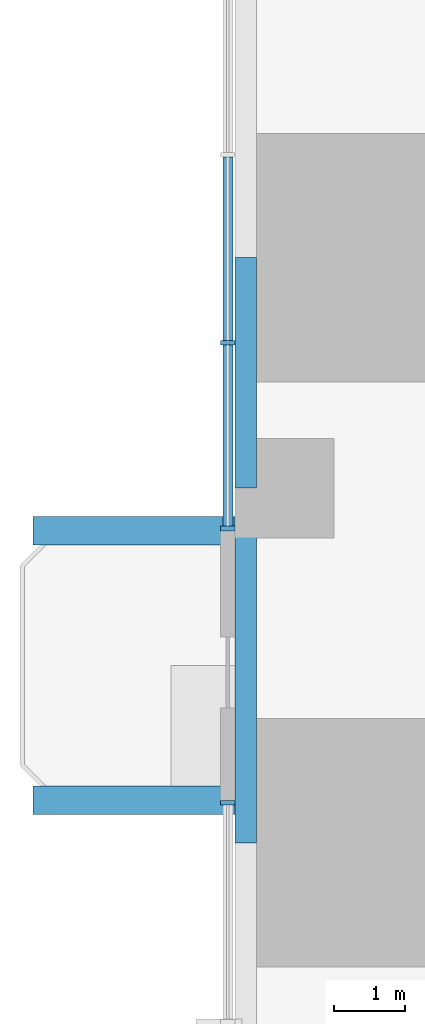
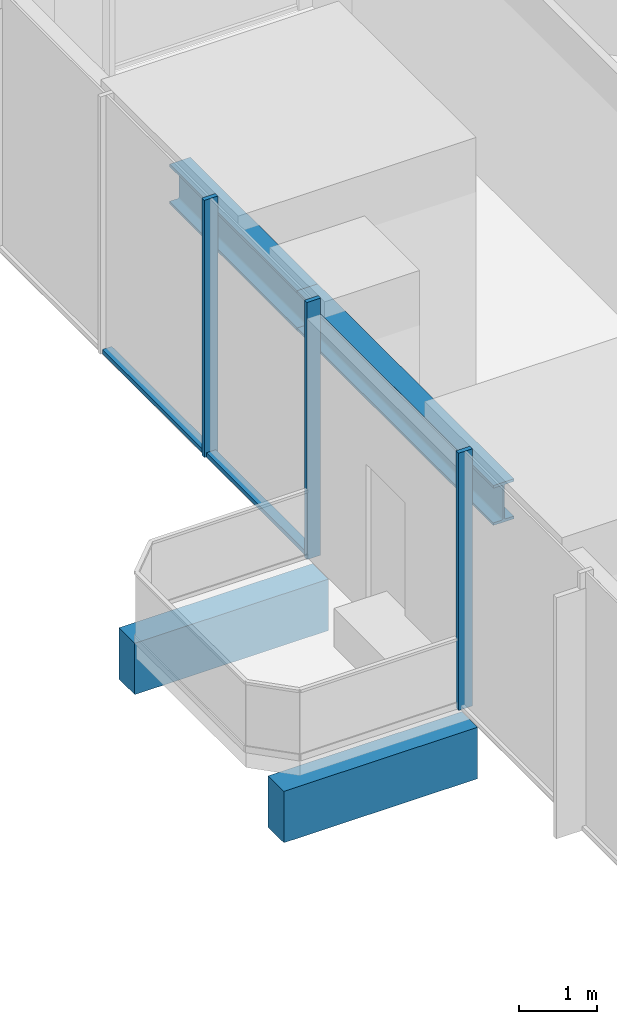
# One storey, part 3 of 15: 5 members, 4 beams, 2 elements without a shape of their own.
"""IFC4 building model written with IfcOpenShell, lengths in metres."""

from ifc_helpers import new_model, si_unit, direction, frame, origin, origin_2d, place, context, subcontext, project, spatial, rectangle, i_section, extrude, material, material_profile, profile_set, type_object, element, aggregate, save


model = new_model("IFC4")

# Units and contexts
model_context = context("Model", 3, precision=1e-05, world=origin(), true_north=direction((0.0, 1.0)))
body_context = subcontext(model_context, "Body", "Model", "MODEL_VIEW")
ifc_project = project(units=[si_unit("LENGTHUNIT", "METRE"), si_unit("AREAUNIT", "SQUARE_METRE"), si_unit("VOLUMEUNIT", "CUBIC_METRE"), si_unit("PLANEANGLEUNIT", "RADIAN"), si_unit("MASSUNIT", "GRAM", prefix="KILO")], contexts=[model_context])

# Site, building, storey
site_placement = place(None, origin())
site = spatial("IfcSite", under=ifc_project, at=site_placement, CompositionType="ELEMENT")
building_placement = place(site_placement, origin())
building = spatial("IfcBuilding", under=site, at=building_placement, Name="Svetlomir Tower", CompositionType="ELEMENT")
storey_placement = place(building_placement, frame((0.0, 0.0, 66.5)))
storey = spatial("IfcBuildingStorey", under=building, at=storey_placement, Name="L15", CompositionType="ELEMENT", Elevation=66.5)

# Beams
ifc_material_1 = material(Name="Concrete C60/75", Category="concrete")
ifc_material_profile_1 = material_profile(ifc_material_1, rectangle(XDim=0.39990234375, YDim=0.800048828125, at=origin_2d()), Name="RC 400x800")
ifc_profile_set_1 = profile_set([ifc_material_profile_1], Name="Concrete C60/75")
beam_type_1 = type_object("IfcBeamType", Name="BALCONY RIB RC 400x800", PredefinedType="BEAM", material=ifc_profile_set_1)
for number, where, z_axis, x_axis, name in (
    (1, (0.0, 21.60009765625, -0.64990234375), (-1.0, 0.0, 0.0), (0.0, -1.0, 0.0), "Balcony rib W 1 L15"),
    (2, (0.0, 25.39990234375, -0.64990234375), (-1.0, 0.0, 0.0), (0.0, -1.0, 0.0), "Balcony rib W 2 L15"),
):
    element("IfcBeam", number, at=place(storey_placement, frame(where, z_axis=z_axis, x_axis=x_axis)), inside=storey, type_object=beam_type_1, Name=name, PredefinedType="BEAM", context=body_context, shape_type="SweptSolid", body=[
        extrude(rectangle(XDim=0.39990234375, YDim=0.800048828125, at=origin_2d()), origin(), (0.0, 0.0, 1.0), 2.85009765625),
    ])

# Curtain wall, members
ifc_material_2 = material(Name="Bronze anodised aluminium curtain wall", Category="aluminium")
curtain_wall_type = type_object("IfcCurtainWallType", Name="CURTAIN WALL CW1 TOWER OFFICE", PredefinedType="NOTDEFINED", material=ifc_material_2)
curtain_wall_1_placement = place(storey_placement, origin())
curtain_wall_1 = element("IfcCurtainWall", 3, at=curtain_wall_1_placement, inside=storey, type_object=curtain_wall_type, Name="Curtain wall CW1 L15", PredefinedType="NOTDEFINED")
ifc_material_3 = material(Name="Bronze anodised aluminium", Category="aluminium")
ifc_material_profile_2 = material_profile(ifc_material_3, rectangle(XDim=0.06494140625, YDim=0.199951171875, at=origin_2d()), Name="AL 65x200")
ifc_profile_set_2 = profile_set([ifc_material_profile_2], Name="Bronze anodised aluminium 6063-T6")
member_type_1 = type_object("IfcMemberType", Name="CW1 MULLION 65x200", PredefinedType="MULLION", material=ifc_profile_set_2)
member_1_placement = place(storey_placement, frame((-0.10009765625, 28.050048828125, 0.0), z_axis=(0.0, 0.0, 1.0), x_axis=(0.0, -1.0, 0.0)))
member_1 = element("IfcMember", 4, at=member_1_placement, type_object=member_type_1, Name="CW1 mullion 4", PredefinedType="MULLION", context=body_context, shape_type="SweptSolid", body=[
    extrude(rectangle(XDim=0.06494140625, YDim=0.199951171875, at=origin_2d()), origin(), (0.0, 0.0, 1.0), 4.0),
])
member_2_placement = place(storey_placement, frame((-0.10009765625, 25.4326171875, 0.0), z_axis=(0.0, 0.0, 1.0), x_axis=(0.0, -1.0, 0.0)))
member_2 = element("IfcMember", 5, at=member_2_placement, type_object=member_type_1, Name="CW1 mullion 5", PredefinedType="MULLION", context=body_context, shape_type="SweptSolid", body=[
    extrude(rectangle(XDim=0.06494140625, YDim=0.199951171875, at=origin_2d()), origin(), (0.0, 0.0, 1.0), 4.0),
])

# Curtain wall, member
curtain_wall_2_placement = place(storey_placement, origin())
curtain_wall_2 = element("IfcCurtainWall", 6, at=curtain_wall_2_placement, inside=storey, type_object=curtain_wall_type, Name="Curtain wall CW1 L15", PredefinedType="NOTDEFINED")
member_3_placement = place(storey_placement, frame((-0.10009765625, 21.5673828125, 0.0), z_axis=(0.0, 0.0, 1.0), x_axis=(0.0, -1.0, 0.0)))
member_3 = element("IfcMember", 7, at=member_3_placement, type_object=member_type_1, Name="CW1 mullion 1", PredefinedType="MULLION", context=body_context, shape_type="SweptSolid", body=[
    extrude(rectangle(XDim=0.06494140625, YDim=0.199951171875, at=origin_2d()), origin(), (0.0, 0.0, 1.0), 4.0),
])
aggregate(curtain_wall_2, [member_3])

# Member
ifc_material_4 = material(Name="Bronze anodised aluminium", Category="aluminium")
ifc_material_profile_3 = material_profile(ifc_material_4, rectangle(XDim=0.139892578125, YDim=0.06494140625, at=origin_2d()), Name="AL 140x65")
ifc_profile_set_3 = profile_set([ifc_material_profile_3], Name="Bronze anodised aluminium 6063-T6")
member_type_2 = type_object("IfcMemberType", Name="CW1 TRANSOM 65x140", PredefinedType="USERDEFINED", material=ifc_profile_set_3)
member_4_placement = place(storey_placement, frame((-0.10009765625, 30.66748046875, 0.032470703125), z_axis=(0.0, -1.0, 0.0), x_axis=(1.0, 0.0, 0.0)))
member_4 = element("IfcMember", 8, at=member_4_placement, type_object=member_type_2, Name="CW1 transom 3.1", ObjectType="TRANSOM", PredefinedType="USERDEFINED", context=body_context, shape_type="SweptSolid", body=[
    extrude(rectangle(XDim=0.139892578125, YDim=0.06494140625, at=origin_2d()), origin(), (0.0, 0.0, 1.0), 2.5849609375),
])

member_5_placement = place(storey_placement, frame((-0.10009765625, 28.017578125, 0.032470703125), z_axis=(0.0, -1.0, 0.0), x_axis=(1.0, 0.0, 0.0)))
member_5 = element("IfcMember", 9, at=member_5_placement, type_object=member_type_2, Name="CW1 transom 4.1", ObjectType="TRANSOM", PredefinedType="USERDEFINED", context=body_context, shape_type="SweptSolid", body=[
    extrude(rectangle(XDim=0.139892578125, YDim=0.06494140625, at=origin_2d()), origin(), (0.0, 0.0, 1.0), 2.552490234375),
])

aggregate(curtain_wall_1, [member_1, member_2, member_4, member_5])

# Beams
ifc_material_5 = material(Name="Steel S355", Category="steel")
ifc_material_profile_4 = material_profile(ifc_material_5, i_section(OverallWidth=0.304931640625, OverallDepth=0.6201171875, WebThickness=0.02099609375, FlangeThickness=0.0400390625, FilletRadius=0.027099609375, at=origin_2d()), Name="HEM 600")
ifc_profile_set_4 = profile_set([ifc_material_profile_4], Name="Steel S355")
beam_type_2 = type_object("IfcBeamType", Name="EDGE BEAM HEM 600", PredefinedType="SPANDREL", material=ifc_profile_set_4)
beam_1_placement = place(storey_placement, frame((0.152587890625, 21.0, 3.43994140625), z_axis=(0.0, 1.0, 0.0), x_axis=(-1.0, 0.0, 0.0)))
element("IfcBeam", 10, at=beam_1_placement, inside=storey, type_object=beam_type_2, Name="Edge beam 0/21 to 0/26 under L16", PredefinedType="SPANDREL", context=body_context, shape_type="SweptSolid", body=[
    extrude(i_section(OverallWidth=0.304931640625, OverallDepth=0.6201171875, WebThickness=0.02099609375, FlangeThickness=0.0400390625, FilletRadius=0.027099609375, at=origin_2d()), origin(), (0.0, 0.0, 1.0), 5.0),
])
beam_2_placement = place(storey_placement, frame((0.152587890625, 26.0, 3.43994140625), z_axis=(0.0, 1.0, 0.0), x_axis=(-1.0, 0.0, 0.0)))
element("IfcBeam", 11, at=beam_2_placement, inside=storey, type_object=beam_type_2, Name="Edge beam 0/26 to 0/31 under L16", PredefinedType="SPANDREL", context=body_context, shape_type="SweptSolid", body=[
    extrude(i_section(OverallWidth=0.304931640625, OverallDepth=0.6201171875, WebThickness=0.02099609375, FlangeThickness=0.0400390625, FilletRadius=0.027099609375, at=origin_2d()), origin(), (0.0, 0.0, 1.0), 3.25),
])

save(model, "model.ifc")
